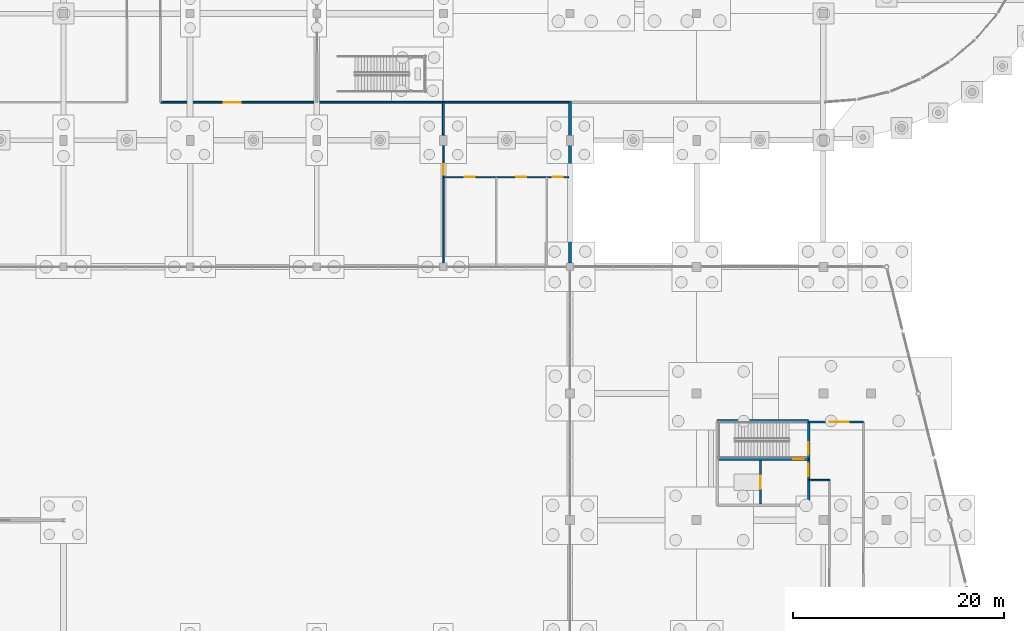
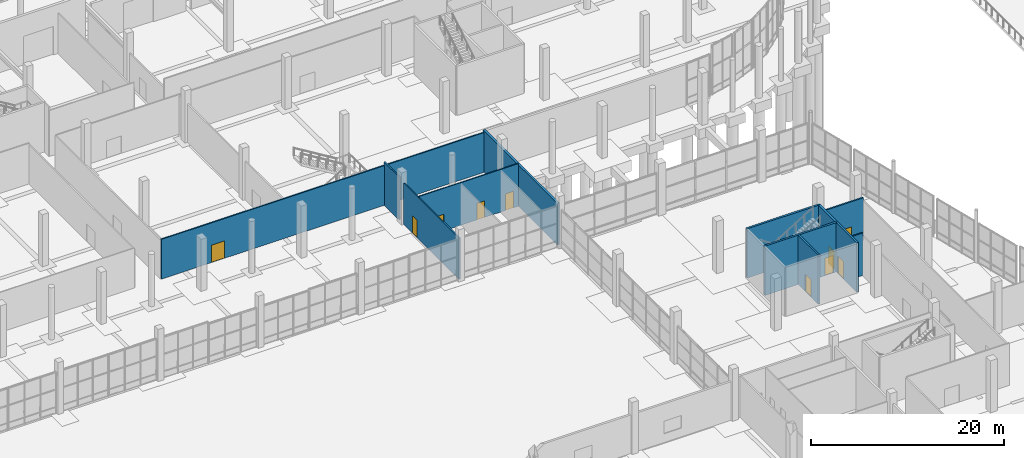
# One storey, part 92 of 117: 11 walls, 10 doors, 10 openings.
"""IFC4 building model written with IfcOpenShell, lengths in metres."""

from ifc_helpers import new_model, si_unit, direction, frame, frame_2d, origin, place, context, subcontext, project, spatial, rectangle, extrude, material, layer, layer_set, type_object, element, fill, save


model = new_model("IFC4")

# Units and contexts
model_context = context("Model", 3, precision=1e-05, world=origin(), true_north=direction((0.0, 1.0)))
body_context = subcontext(model_context, "Body", "Model", "MODEL_VIEW")
ifc_project = project(units=[si_unit("LENGTHUNIT", "METRE"), si_unit("AREAUNIT", "SQUARE_METRE"), si_unit("VOLUMEUNIT", "CUBIC_METRE"), si_unit("PLANEANGLEUNIT", "RADIAN"), si_unit("MASSUNIT", "GRAM", prefix="KILO")], contexts=[model_context])

# Site, building, storey
site_placement = place(None, origin())
site = spatial("IfcSite", under=ifc_project, at=site_placement, CompositionType="ELEMENT")
building_placement = place(site_placement, origin())
building = spatial("IfcBuilding", under=site, at=building_placement, Name="Kamomehara Wholesale Market", CompositionType="ELEMENT")
storey_placement = place(building_placement, origin())
storey = spatial("IfcBuildingStorey", under=building, at=storey_placement, Name="L00", CompositionType="ELEMENT", Elevation=0.0)

# Wall
ifc_material_1 = material(Name="Precast concrete Fc45 (C40/50)", Category="concrete")
ifc_layer_1 = layer(ifc_material_1, 0.260009765625)
ifc_layer_set_1 = layer_set([ifc_layer_1], Name="Precast concrete Fc45 (C40/50)")
wall_type_1 = type_object("IfcWallType", Name="EW-PC-260", PredefinedType="SOLIDWALL", material=ifc_layer_set_1)
wall_1_placement = place(storey_placement, frame((156.0, 111.72998046875, 0.0), z_axis=(0.0, 0.0, 1.0), x_axis=(0.0, -1.0, 0.0)))
element("IfcWall", 1, at=wall_1_placement, inside=storey, type_object=wall_type_1, Name="Exterior wall EW-PC-260 72", PredefinedType="SOLIDWALL", context=body_context, shape_type="SweptSolid", body=[
    extrude(rectangle(XDim=15.3798828125, YDim=0.260009765625, at=frame_2d((7.68994140625, 0.0))), origin(), (0.0, 0.0, 1.0), 5.248046875),
])

# Wall, openings, doors
ifc_material_2 = material(Name="Gypsum board partition")
ifc_layer_2 = layer(ifc_material_2, 0.125)
ifc_layer_set_2 = layer_set([ifc_layer_2], Name="Gypsum board partition")
wall_type_2 = type_object("IfcWallType", Name="IW-PRT-125", PredefinedType="PARTITIONING", material=ifc_layer_set_2)
wall_2_placement = place(storey_placement, frame((144.0, 104.5, 0.0), z_axis=(0.0, 0.0, 1.0), x_axis=(1.0, 0.0, 0.0)))
wall_2 = element("IfcWall", 2, at=wall_2_placement, inside=storey, type_object=wall_type_2, Name="Interior wall IW-PRT-125 224", PredefinedType="PARTITIONING", context=body_context, shape_type="SweptSolid", body=[
    extrude(rectangle(XDim=11.8701171875, YDim=0.125, at=frame_2d((5.93505859375, 0.0))), origin(), (0.0, 0.0, 1.0), 5.39306640625),
])
opening_1_placement = place(wall_2_placement, frame((2.0, 0.0, 0.0)))
opening_1 = element("IfcOpeningElement", 3, at=opening_1_placement, cuts=wall_2, Name="Opening ID-L00-135", PredefinedType="OPENING", context=body_context, shape_type="SweptSolid", body=[
    extrude(rectangle(XDim=0.949951171875, YDim=2.10009765625, at=frame_2d((0.47509765625, 1.050048828125))), frame((0.0, 0.077392578125, 0.0), z_axis=(0.0, -1.0, 0.0), x_axis=(1.0, 0.0, 0.0)), (0.0, 0.0, 1.0), 0.15478515625),
])
opening_2_placement = place(wall_2_placement, frame((6.89990234375, 0.0, 0.0)))
opening_2 = element("IfcOpeningElement", 4, at=opening_2_placement, cuts=wall_2, Name="Opening ID-L00-136", PredefinedType="OPENING", context=body_context, shape_type="SweptSolid", body=[
    extrude(rectangle(XDim=0.949951171875, YDim=2.10009765625, at=frame_2d((0.47509765625, 1.050048828125))), frame((0.0, 0.077392578125, 0.0), z_axis=(0.0, -1.0, 0.0), x_axis=(1.0, 0.0, 0.0)), (0.0, 0.0, 1.0), 0.15478515625),
])
opening_3_placement = place(wall_2_placement, frame((10.35009765625, 0.0, 0.0)))
opening_3 = element("IfcOpeningElement", 5, at=opening_3_placement, cuts=wall_2, Name="Opening ID-L00-137", PredefinedType="OPENING", context=body_context, shape_type="SweptSolid", body=[
    extrude(rectangle(XDim=0.949951171875, YDim=2.10009765625, at=frame_2d((0.47509765625, 1.050048828125))), frame((0.0, 0.077392578125, 0.0), z_axis=(0.0, -1.0, 0.0), x_axis=(1.0, 0.0, 0.0)), (0.0, 0.0, 1.0), 0.15478515625),
])
ifc_material_3 = material(Name="Anodised aluminium 6063-T5", Category="aluminium")
door_type_1 = type_object("IfcDoorType", Name="IDR-WC-950x2100", OperationType="NOTDEFINED", PredefinedType="DOOR", material=ifc_material_3)
door_1_placement = place(opening_1_placement, origin())
door_1 = element("IfcDoor", 6, at=door_1_placement, inside=storey, type_object=door_type_1, Name="Interior door ID-L00-135", OperationType="SINGLE_SWING_LEFT", OverallHeight=2.10009765625, OverallWidth=0.949951171875, PredefinedType="DOOR", context=body_context, shape_type="SweptSolid", body=[
    extrude(rectangle(XDim=0.949951171875, YDim=2.10009765625, at=frame_2d((0.47509765625, 1.050048828125))), frame((0.0, 0.02490234375, 0.0), z_axis=(0.0, -1.0, 0.0), x_axis=(1.0, 0.0, 0.0)), (0.0, 0.0, 1.0), 0.050048828125),
])
fill(opening_1, door_1)
door_2_placement = place(opening_2_placement, origin())
door_2 = element("IfcDoor", 7, at=door_2_placement, inside=storey, type_object=door_type_1, Name="Interior door ID-L00-136", OperationType="SINGLE_SWING_RIGHT", OverallHeight=2.10009765625, OverallWidth=0.949951171875, PredefinedType="DOOR", context=body_context, shape_type="SweptSolid", body=[
    extrude(rectangle(XDim=0.949951171875, YDim=2.10009765625, at=frame_2d((0.47509765625, 1.050048828125))), frame((0.0, 0.02490234375, 0.0), z_axis=(0.0, -1.0, 0.0), x_axis=(1.0, 0.0, 0.0)), (0.0, 0.0, 1.0), 0.050048828125),
])
fill(opening_2, door_2)
door_3_placement = place(opening_3_placement, origin())
door_3 = element("IfcDoor", 8, at=door_3_placement, inside=storey, type_object=door_type_1, Name="Interior door ID-L00-137", OperationType="SINGLE_SWING_LEFT", OverallHeight=2.10009765625, OverallWidth=0.949951171875, PredefinedType="DOOR", context=body_context, shape_type="SweptSolid", body=[
    extrude(rectangle(XDim=0.949951171875, YDim=2.10009765625, at=frame_2d((0.47509765625, 1.050048828125))), frame((0.0, 0.02490234375, 0.0), z_axis=(0.0, -1.0, 0.0), x_axis=(1.0, 0.0, 0.0)), (0.0, 0.0, 1.0), 0.050048828125),
])
fill(opening_3, door_3)

# Wall, opening, door
ifc_material_4 = material(Name="Gypsum board partition")
ifc_layer_3 = layer(ifc_material_4, 0.14990234375)
ifc_layer_set_3 = layer_set([ifc_layer_3], Name="Gypsum board partition")
wall_type_3 = type_object("IfcWallType", Name="IW-PRT-150", PredefinedType="PARTITIONING", material=ifc_layer_set_3)
wall_3_placement = place(storey_placement, frame((117.199951171875, 111.60009765625, 0.0), z_axis=(0.0, 0.0, 1.0), x_axis=(1.0, 0.0, 0.0)))
wall_3 = element("IfcWall", 9, at=wall_3_placement, inside=storey, type_object=wall_type_3, Name="Interior wall IW-PRT-150 221", PredefinedType="PARTITIONING", context=body_context, shape_type="SweptSolid", body=[
    extrude(rectangle(XDim=38.670166015625, YDim=0.14990234375, at=frame_2d((19.3349609375, 0.0))), origin(), (0.0, 0.0, 1.0), 5.032958984375),
])
opening_4_placement = place(wall_3_placement, frame((6.0, 0.0, 0.0)))
opening_4 = element("IfcOpeningElement", 10, at=opening_4_placement, cuts=wall_3, Name="Opening ID-L00-133", PredefinedType="OPENING", context=body_context, shape_type="SweptSolid", body=[
    extrude(rectangle(XDim=1.60009765625, YDim=2.199951171875, at=frame_2d((0.800048828125, 1.10009765625))), frame((0.0, 0.08984375, 0.0), z_axis=(0.0, -1.0, 0.0), x_axis=(1.0, 0.0, 0.0)), (0.0, 0.0, 1.0), 0.1796875),
])
ifc_material_5 = material(Name="Steel SN400B", Category="steel")
door_type_2 = type_object("IfcDoorType", Name="IDR-FD-1600x2200", OperationType="NOTDEFINED", PredefinedType="DOOR", material=ifc_material_5)
door_4_placement = place(opening_4_placement, origin())
door_4 = element("IfcDoor", 11, at=door_4_placement, inside=storey, type_object=door_type_2, Name="Interior door ID-L00-133", OperationType="SINGLE_SWING_LEFT", OverallHeight=2.199951171875, OverallWidth=1.60009765625, PredefinedType="DOOR", context=body_context, shape_type="SweptSolid", body=[
    extrude(rectangle(XDim=1.60009765625, YDim=2.199951171875, at=frame_2d((0.800048828125, 1.10009765625))), frame((0.0, 0.02490234375, 0.0), z_axis=(0.0, -1.0, 0.0), x_axis=(1.0, 0.0, 0.0)), (0.0, 0.0, 1.0), 0.050048828125),
])
fill(opening_4, door_4)

wall_4_placement = place(storey_placement, frame((144.0, 96.0400390625, 0.0), z_axis=(0.0, 0.0, 1.0), x_axis=(0.0, 1.0, 0.0)))
wall_4 = element("IfcWall", 12, at=wall_4_placement, inside=storey, type_object=wall_type_3, Name="Interior wall IW-PRT-150 222", PredefinedType="PARTITIONING", context=body_context, shape_type="SweptSolid", body=[
    extrude(rectangle(XDim=11.47998046875, YDim=0.14990234375, at=frame_2d((5.739990234375, 0.0))), origin(), (0.0, 0.0, 1.0), 5.242919921875),
])
opening_5_placement = place(wall_4_placement, frame((8.699951171875, 0.0, 0.0)))
opening_5 = element("IfcOpeningElement", 13, at=opening_5_placement, cuts=wall_4, Name="Opening ID-L00-134", PredefinedType="OPENING", context=body_context, shape_type="SweptSolid", body=[
    extrude(rectangle(XDim=1.0, YDim=2.199951171875, at=frame_2d((0.5, 1.10009765625))), frame((0.0, 0.08984375, 0.0), z_axis=(0.0, -1.0, 0.0), x_axis=(1.0, 0.0, 0.0)), (0.0, 0.0, 1.0), 0.1796875),
])
ifc_material_6 = material(Name="Anodised aluminium 6063-T5", Category="aluminium")
door_type_3 = type_object("IfcDoorType", Name="IDR-RM-1000x2200", OperationType="NOTDEFINED", PredefinedType="DOOR", material=ifc_material_6)
door_5_placement = place(opening_5_placement, origin())
door_5 = element("IfcDoor", 14, at=door_5_placement, inside=storey, type_object=door_type_3, Name="Interior door ID-L00-134", OperationType="SINGLE_SWING_RIGHT", OverallHeight=2.199951171875, OverallWidth=1.0, PredefinedType="DOOR", context=body_context, shape_type="SweptSolid", body=[
    extrude(rectangle(XDim=1.0, YDim=2.199951171875, at=frame_2d((0.5, 1.10009765625))), frame((0.0, 0.02490234375, 0.0), z_axis=(0.0, -1.0, 0.0), x_axis=(1.0, 0.0, 0.0)), (0.0, 0.0, 1.0), 0.050048828125),
])
fill(opening_5, door_5)

# Walls
wall_5_placement = place(storey_placement, frame((178.60009765625, 75.800048828125, 0.0), z_axis=(0.0, 0.0, 1.0), x_axis=(1.0, 0.0, 0.0)))
element("IfcWall", 15, at=wall_5_placement, inside=storey, type_object=wall_type_3, Name="Interior wall IW-PRT-150 272", PredefinedType="PARTITIONING", context=body_context, shape_type="SweptSolid", body=[
    extrude(rectangle(XDim=2.0, YDim=0.14990234375, at=frame_2d((1.0, 0.0))), origin(), (0.0, 0.0, 1.0), 5.383056640625),
])
ifc_material_7 = material(Name="Gypsum board partition")
ifc_layer_4 = layer(ifc_material_7, 0.175048828125)
ifc_layer_set_4 = layer_set([ifc_layer_4], Name="Gypsum board partition")
wall_type_4 = type_object("IfcWallType", Name="IW-PRT-175", PredefinedType="PARTITIONING", material=ifc_layer_set_4)
wall_6_placement = place(storey_placement, frame((144.0, 108.47998046875, 0.0), z_axis=(0.0, 0.0, 1.0), x_axis=(0.0, 1.0, 0.0)))
element("IfcWall", 16, at=wall_6_placement, inside=storey, type_object=wall_type_4, Name="Interior wall IW-PRT-175 223", PredefinedType="PARTITIONING", context=body_context, shape_type="SweptSolid", body=[
    extrude(rectangle(XDim=3.1201171875, YDim=0.175048828125, at=frame_2d((1.56005859375, 0.0))), origin(), (0.0, 0.0, 1.0), 5.450927734375),
])

# Wall, opening, door
wall_7_placement = place(storey_placement, frame((178.60009765625, 81.300048828125, 0.0), z_axis=(0.0, 0.0, 1.0), x_axis=(1.0, 0.0, 0.0)))
wall_7 = element("IfcWall", 17, at=wall_7_placement, inside=storey, type_object=wall_type_4, Name="Interior wall IW-PRT-175 273", PredefinedType="PARTITIONING", context=body_context, shape_type="SweptSolid", body=[
    extrude(rectangle(XDim=5.199951171875, YDim=0.175048828125, at=frame_2d((2.60009765625, 0.0))), origin(), (0.0, 0.0, 1.0), 5.383056640625),
])
opening_6_placement = place(wall_7_placement, frame((2.0, 0.0, 0.0)))
opening_6 = element("IfcOpeningElement", 18, at=opening_6_placement, cuts=wall_7, Name="Opening ID-L00-166", PredefinedType="OPENING", context=body_context, shape_type="SweptSolid", body=[
    extrude(rectangle(XDim=1.800048828125, YDim=2.199951171875, at=frame_2d((0.89990234375, 1.10009765625))), frame((0.0, 0.1025390625, 0.0), z_axis=(0.0, -1.0, 0.0), x_axis=(1.0, 0.0, 0.0)), (0.0, 0.0, 1.0), 0.204833984375),
])
ifc_material_8 = material(Name="Steel SN400B", Category="steel")
door_type_4 = type_object("IfcDoorType", Name="IDR-FD-1800x2200", OperationType="NOTDEFINED", PredefinedType="DOOR", material=ifc_material_8)
door_6_placement = place(opening_6_placement, origin())
door_6 = element("IfcDoor", 19, at=door_6_placement, inside=storey, type_object=door_type_4, Name="Interior door ID-L00-166", OperationType="SINGLE_SWING_RIGHT", OverallHeight=2.199951171875, OverallWidth=1.800048828125, PredefinedType="DOOR", context=body_context, shape_type="SweptSolid", body=[
    extrude(rectangle(XDim=1.800048828125, YDim=2.199951171875, at=frame_2d((0.89990234375, 1.10009765625))), frame((0.0, 0.02490234375, 0.0), z_axis=(0.0, -1.0, 0.0), x_axis=(1.0, 0.0, 0.0)), (0.0, 0.0, 1.0), 0.050048828125),
])
fill(opening_6, door_6)

ifc_material_9 = material(Name="Concrete Fc36 (C35/45)", Category="concrete")
ifc_layer_5 = layer(ifc_material_9, 0.219970703125)
ifc_layer_set_5 = layer_set([ifc_layer_5], Name="Concrete Fc36 (C35/45)")
wall_type_5 = type_object("IfcWallType", Name="IW-SHR-220", PredefinedType="SHEAR", material=ifc_layer_set_5)
wall_8_placement = place(storey_placement, frame((174.0400390625, 73.52001953125, 0.0), z_axis=(0.0, 0.0, 1.0), x_axis=(0.0, 1.0, 0.0)))
wall_8 = element("IfcWall", 20, at=wall_8_placement, inside=storey, type_object=wall_type_5, Name="Interior wall IW-SHR-220 138", PredefinedType="SHEAR", context=body_context, shape_type="SweptSolid", body=[
    extrude(rectangle(XDim=4.139892578125, YDim=0.219970703125, at=frame_2d((2.06982421875, 0.0))), origin(), (0.0, 0.0, 1.0), 6.25),
])
opening_7_placement = place(wall_8_placement, frame((1.469970703125, 0.0, 0.0)))
opening_7 = element("IfcOpeningElement", 21, at=opening_7_placement, cuts=wall_8, Name="Opening LD-LP-05-L00", PredefinedType="OPENING", context=body_context, shape_type="SweptSolid", body=[
    extrude(rectangle(XDim=1.199951171875, YDim=2.199951171875, at=frame_2d((0.60009765625, 1.10009765625))), frame((0.0, 0.125, 0.0), z_axis=(0.0, -1.0, 0.0), x_axis=(1.0, 0.0, 0.0)), (0.0, 0.0, 1.0), 0.249755859375),
])
ifc_material_10 = material(Name="Steel SN400B", Category="steel")
door_type_5 = type_object("IfcDoorType", Name="LDR-PAX-1200x2200", OperationType="DOUBLE_DOOR_SLIDING", PredefinedType="DOOR", material=ifc_material_10)
door_7_placement = place(opening_7_placement, origin())
door_7 = element("IfcDoor", 22, at=door_7_placement, inside=storey, type_object=door_type_5, Name="Lift sliding landing door LD-LP-05-L00", OperationType="DOUBLE_DOOR_SLIDING", OverallHeight=2.199951171875, OverallWidth=1.199951171875, PredefinedType="DOOR", context=body_context, shape_type="SweptSolid", body=[
    extrude(rectangle(XDim=1.199951171875, YDim=2.199951171875, at=frame_2d((0.60009765625, 1.10009765625))), frame((0.0, 0.02490234375, 0.0), z_axis=(0.0, -1.0, 0.0), x_axis=(1.0, 0.0, 0.0)), (0.0, 0.0, 1.0), 0.050048828125),
])
fill(opening_7, door_7)

# Wall
ifc_material_11 = material(Name="Concrete Fc36 (C35/45)", Category="concrete")
ifc_layer_6 = layer(ifc_material_11, 0.239990234375)
ifc_layer_set_6 = layer_set([ifc_layer_6], Name="Concrete Fc36 (C35/45)")
wall_type_6 = type_object("IfcWallType", Name="IW-SHR-240", PredefinedType="SHEAR", material=ifc_layer_set_6)
wall_9_placement = place(storey_placement, frame((178.60009765625, 81.419921875, 0.0), z_axis=(0.0, 0.0, 1.0), x_axis=(-1.0, 0.0, 0.0)))
element("IfcWall", 23, at=wall_9_placement, inside=storey, type_object=wall_type_6, Name="Interior wall IW-SHR-240 133", PredefinedType="SHEAR", context=body_context, shape_type="SweptSolid", body=[
    extrude(rectangle(XDim=8.670166015625, YDim=0.239990234375, at=frame_2d((4.3349609375, 0.0))), origin(), (0.0, 0.0, 1.0), 6.25),
])

# Wall, opening, door
wall_10_placement = place(storey_placement, frame((169.929931640625, 77.780029296875, 0.0), z_axis=(0.0, 0.0, 1.0), x_axis=(1.0, 0.0, 0.0)))
wall_10 = element("IfcWall", 24, at=wall_10_placement, inside=storey, type_object=wall_type_6, Name="Interior wall IW-SHR-240 136", PredefinedType="SHEAR", context=body_context, shape_type="SweptSolid", body=[
    extrude(rectangle(XDim=8.670166015625, YDim=0.239990234375, at=frame_2d((4.3349609375, 0.0))), origin(), (0.0, 0.0, 1.0), 6.25),
])
opening_8_placement = place(wall_10_placement, frame((7.219970703125, 0.0, 0.0)))
opening_8 = element("IfcOpeningElement", 25, at=opening_8_placement, cuts=wall_10, Name="Opening FD-L00-C9I", PredefinedType="OPENING", context=body_context, shape_type="SweptSolid", body=[
    extrude(rectangle(XDim=1.0, YDim=2.199951171875, at=frame_2d((0.5, 1.10009765625))), frame((0.0, 0.134765625, 0.0), z_axis=(0.0, -1.0, 0.0), x_axis=(1.0, 0.0, 0.0)), (0.0, 0.0, 1.0), 0.269775390625),
])
door_8_placement = place(opening_8_placement, origin())
door_8 = element("IfcDoor", 26, at=door_8_placement, inside=storey, type_object=door_type_3, Name="Core lobby-stair fire door FD-L00-C9I", OperationType="SINGLE_SWING_LEFT", OverallHeight=2.199951171875, OverallWidth=1.0, PredefinedType="DOOR", context=body_context, shape_type="SweptSolid", body=[
    extrude(rectangle(XDim=1.0, YDim=2.199951171875, at=frame_2d((0.5, 1.10009765625))), frame((0.0, 0.02490234375, 0.0), z_axis=(0.0, -1.0, 0.0), x_axis=(1.0, 0.0, 0.0)), (0.0, 0.0, 1.0), 0.050048828125),
])
fill(opening_8, door_8)

# Wall, openings, doors
wall_11_placement = place(storey_placement, frame((178.60009765625, 73.39990234375, 0.0), z_axis=(0.0, 0.0, 1.0), x_axis=(0.0, 1.0, 0.0)))
wall_11 = element("IfcWall", 27, at=wall_11_placement, inside=storey, type_object=wall_type_6, Name="Interior wall IW-SHR-240 137", PredefinedType="SHEAR", context=body_context, shape_type="SweptSolid", body=[
    extrude(rectangle(XDim=8.02001953125, YDim=0.239990234375, at=frame_2d((4.010009765625, 0.0))), origin(), (0.0, 0.0, 1.0), 6.25),
])
opening_9_placement = place(wall_11_placement, frame((2.75, 0.0, 0.0)))
opening_9 = element("IfcOpeningElement", 28, at=opening_9_placement, cuts=wall_11, Name="Opening FD-L00-C9L", PredefinedType="OPENING", context=body_context, shape_type="SweptSolid", body=[
    extrude(rectangle(XDim=1.199951171875, YDim=2.199951171875, at=frame_2d((0.60009765625, 1.10009765625))), frame((0.0, 0.134765625, 0.0), z_axis=(0.0, -1.0, 0.0), x_axis=(1.0, 0.0, 0.0)), (0.0, 0.0, 1.0), 0.269775390625),
])
opening_10_placement = place(wall_11_placement, frame((4.800048828125, 0.0, 0.0)))
opening_10 = element("IfcOpeningElement", 29, at=opening_10_placement, cuts=wall_11, Name="Opening FD-L00-C9S", PredefinedType="OPENING", context=body_context, shape_type="SweptSolid", body=[
    extrude(rectangle(XDim=1.199951171875, YDim=2.199951171875, at=frame_2d((0.60009765625, 1.10009765625))), frame((0.0, 0.134765625, 0.0), z_axis=(0.0, -1.0, 0.0), x_axis=(1.0, 0.0, 0.0)), (0.0, 0.0, 1.0), 0.269775390625),
])
ifc_material_12 = material(Name="Steel SN400B", Category="steel")
door_type_6 = type_object("IfcDoorType", Name="IDR-FD-1200x2200", OperationType="NOTDEFINED", PredefinedType="DOOR", material=ifc_material_12)
door_9_placement = place(opening_9_placement, origin())
door_9 = element("IfcDoor", 30, at=door_9_placement, inside=storey, type_object=door_type_6, Name="Lift lobby fire door FD-L00-C9L", OperationType="SINGLE_SWING_LEFT", OverallHeight=2.199951171875, OverallWidth=1.199951171875, PredefinedType="DOOR", context=body_context, shape_type="SweptSolid", body=[
    extrude(rectangle(XDim=1.199951171875, YDim=2.199951171875, at=frame_2d((0.60009765625, 1.10009765625))), frame((0.0, 0.02490234375, 0.0), z_axis=(0.0, -1.0, 0.0), x_axis=(1.0, 0.0, 0.0)), (0.0, 0.0, 1.0), 0.050048828125),
])
fill(opening_9, door_9)
door_10_placement = place(opening_10_placement, origin())
door_10 = element("IfcDoor", 31, at=door_10_placement, inside=storey, type_object=door_type_6, Name="Stair fire door FD-L00-C9S", OperationType="SINGLE_SWING_RIGHT", OverallHeight=2.199951171875, OverallWidth=1.199951171875, PredefinedType="DOOR", context=body_context, shape_type="SweptSolid", body=[
    extrude(rectangle(XDim=1.199951171875, YDim=2.199951171875, at=frame_2d((0.60009765625, 1.10009765625))), frame((0.0, 0.02490234375, 0.0), z_axis=(0.0, -1.0, 0.0), x_axis=(1.0, 0.0, 0.0)), (0.0, 0.0, 1.0), 0.050048828125),
])
fill(opening_10, door_10)

save(model, "model.ifc")
